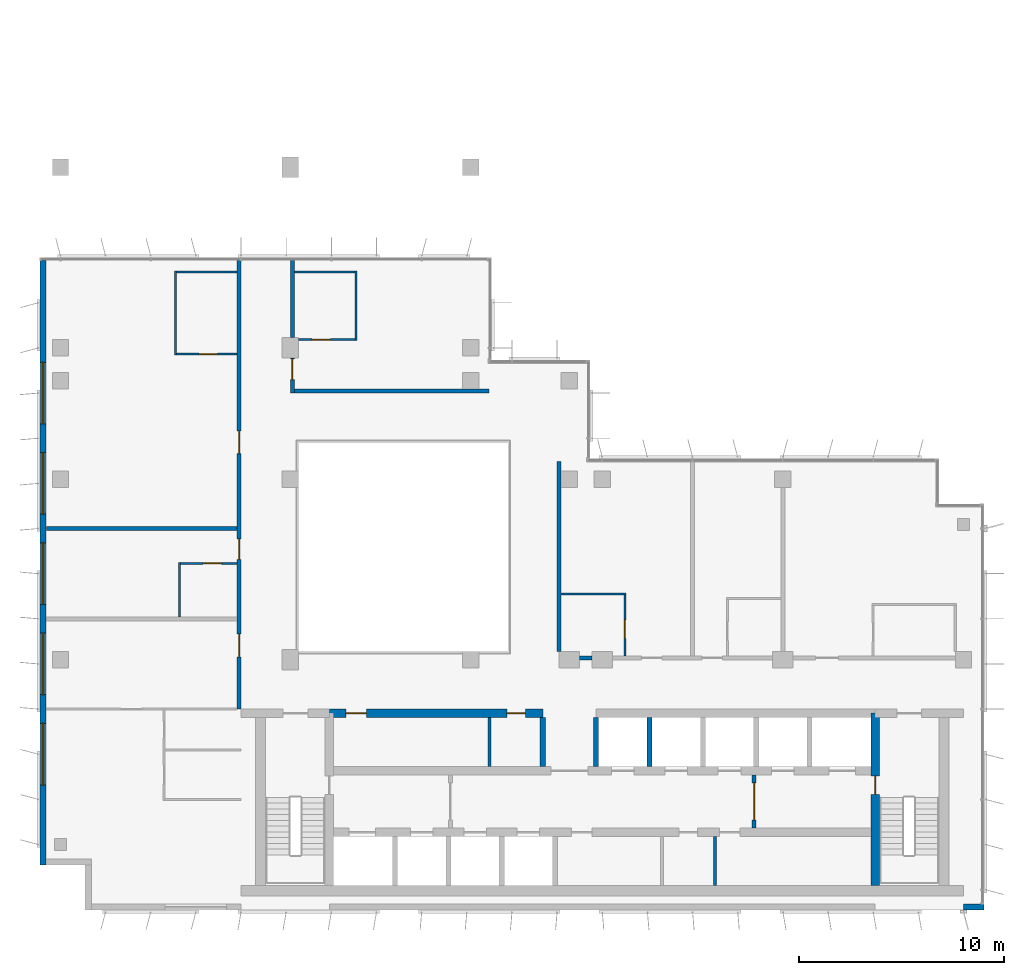
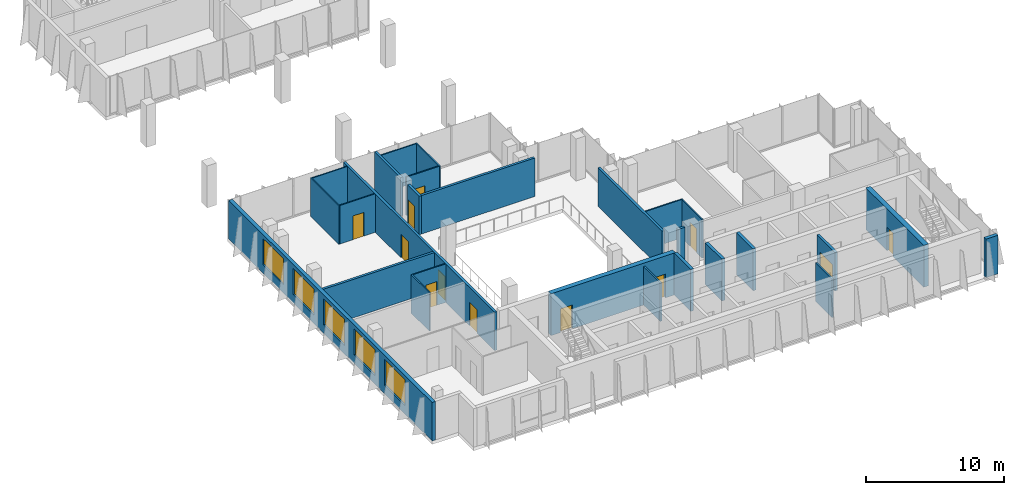
# One storey, part 10 of 14: 27 walls, 12 doors, 5 windows, 17 openings.
"""IFC4 building model written with IfcOpenShell, lengths in metres."""

from ifc_helpers import new_model, si_unit, direction, frame, frame_2d, origin, place, context, subcontext, project, spatial, rectangle, extrude, material, layer, layer_set, type_object, element, fill, save


model = new_model("IFC4")

# Units and contexts
model_context = context("Model", 3, precision=1e-05, world=origin(), true_north=direction((0.0, 1.0)))
body_context = subcontext(model_context, "Body", "Model", "MODEL_VIEW")
ifc_project = project(units=[si_unit("LENGTHUNIT", "METRE"), si_unit("AREAUNIT", "SQUARE_METRE"), si_unit("VOLUMEUNIT", "CUBIC_METRE"), si_unit("PLANEANGLEUNIT", "RADIAN"), si_unit("MASSUNIT", "GRAM", prefix="KILO")], contexts=[model_context])

# Site, building, storey
site_placement = place(None, origin())
site = spatial("IfcSite", under=ifc_project, at=site_placement, CompositionType="ELEMENT")
building_placement = place(site_placement, origin())
building = spatial("IfcBuilding", under=site, at=building_placement, Name="Kemantara Hotel Tower", CompositionType="ELEMENT")
storey_placement = place(building_placement, frame((0.0, 0.0, 245.0)))
storey = spatial("IfcBuildingStorey", under=building, at=storey_placement, Name="L61", CompositionType="ELEMENT", Elevation=245.0)

# Wall, openings, windows
ifc_material_1 = material(Name="Bronze anodised aluminium cladding on insulated steel stud wall", Category="steel")
ifc_layer_1 = layer(ifc_material_1, 0.300048828125)
ifc_layer_set_1 = layer_set([ifc_layer_1], Name="Bronze anodised aluminium cladding on insulated steel stud wall")
wall_type_1 = type_object("IfcWallType", Name="BRONZE METAL-CLAD EXTERNAL WALL 300", PredefinedType="STANDARD", material=ifc_layer_set_1)
wall_1_placement = place(storey_placement, frame((0.14990234375, 31.64990234375, 0.0), z_axis=(0.0, 0.0, 1.0), x_axis=(0.0, -1.0, 0.0)))
wall_1 = element("IfcWall", 1, at=wall_1_placement, inside=storey, type_object=wall_type_1, Name="EXTERNAL WALL L61 T4P-R02", PredefinedType="STANDARD", context=body_context, shape_type="SweptSolid", body=[
    extrude(rectangle(XDim=29.449951171875, YDim=0.300048828125, at=frame_2d((14.72509765625, 0.0))), origin(), (0.0, 0.0, 1.0), 3.39990234375),
])
opening_1_placement = place(wall_1_placement, frame((4.949951171875, 0.0, 0.75)))
opening_1 = element("IfcOpeningElement", 2, at=opening_1_placement, cuts=wall_1, Name="Opening W1", PredefinedType="OPENING", context=body_context, shape_type="SweptSolid", body=[
    extrude(rectangle(XDim=3.0, YDim=2.300048828125, at=frame_2d((1.5, 1.14990234375))), frame((0.0, 0.159912109375, 0.0), z_axis=(0.0, -1.0, 0.0), x_axis=(1.0, 0.0, 0.0)), (0.0, 0.0, 1.0), 0.320068359375),
])
opening_2_placement = place(wall_1_placement, frame((9.35009765625, 0.0, 0.75)))
opening_2 = element("IfcOpeningElement", 3, at=opening_2_placement, cuts=wall_1, Name="Opening W1", PredefinedType="OPENING", context=body_context, shape_type="SweptSolid", body=[
    extrude(rectangle(XDim=3.0, YDim=2.300048828125, at=frame_2d((1.5, 1.14990234375))), frame((0.0, 0.159912109375, 0.0), z_axis=(0.0, -1.0, 0.0), x_axis=(1.0, 0.0, 0.0)), (0.0, 0.0, 1.0), 0.320068359375),
])
opening_3_placement = place(wall_1_placement, frame((13.75, 0.0, 0.75)))
opening_3 = element("IfcOpeningElement", 4, at=opening_3_placement, cuts=wall_1, Name="Opening W1", PredefinedType="OPENING", context=body_context, shape_type="SweptSolid", body=[
    extrude(rectangle(XDim=3.0, YDim=2.300048828125, at=frame_2d((1.5, 1.14990234375))), frame((0.0, 0.159912109375, 0.0), z_axis=(0.0, -1.0, 0.0), x_axis=(1.0, 0.0, 0.0)), (0.0, 0.0, 1.0), 0.320068359375),
])
opening_4_placement = place(wall_1_placement, frame((18.14990234375, 0.0, 0.75)))
opening_4 = element("IfcOpeningElement", 5, at=opening_4_placement, cuts=wall_1, Name="Opening W1", PredefinedType="OPENING", context=body_context, shape_type="SweptSolid", body=[
    extrude(rectangle(XDim=3.0, YDim=2.300048828125, at=frame_2d((1.5, 1.14990234375))), frame((0.0, 0.159912109375, 0.0), z_axis=(0.0, -1.0, 0.0), x_axis=(1.0, 0.0, 0.0)), (0.0, 0.0, 1.0), 0.320068359375),
])
opening_5_placement = place(wall_1_placement, frame((22.550048828125, 0.0, 0.75)))
opening_5 = element("IfcOpeningElement", 6, at=opening_5_placement, cuts=wall_1, Name="Opening W1", PredefinedType="OPENING", context=body_context, shape_type="SweptSolid", body=[
    extrude(rectangle(XDim=3.0, YDim=2.300048828125, at=frame_2d((1.5, 1.14990234375))), frame((0.0, 0.159912109375, 0.0), z_axis=(0.0, -1.0, 0.0), x_axis=(1.0, 0.0, 0.0)), (0.0, 0.0, 1.0), 0.320068359375),
])
ifc_material_2 = material(Name="Low-E tinted double insulated glass in bronze anodised aluminium frame", Category="aluminium")
window_type = type_object("IfcWindowType", Name="CHICAGO WINDOW, TRIPLE PANEL 3000x2300", PartitioningType="TRIPLE_PANEL_VERTICAL", PredefinedType="WINDOW", material=ifc_material_2)
window_1_placement = place(opening_1_placement, origin())
window_1 = element("IfcWindow", 7, at=window_1_placement, inside=storey, type_object=window_type, Name="CHICAGO WINDOW L61 T4P-R02-66", OverallHeight=2.300048828125, OverallWidth=3.0, PartitioningType="SINGLE_PANEL", PredefinedType="WINDOW", context=body_context, shape_type="SweptSolid", body=[
    extrude(rectangle(XDim=3.0, YDim=2.300048828125, at=frame_2d((1.5, 1.14990234375))), frame((0.0, 0.030029296875, 0.0), z_axis=(0.0, -1.0, 0.0), x_axis=(1.0, 0.0, 0.0)), (0.0, 0.0, 1.0), 0.06005859375),
])
fill(opening_1, window_1)
window_2_placement = place(opening_2_placement, origin())
window_2 = element("IfcWindow", 8, at=window_2_placement, inside=storey, type_object=window_type, Name="CHICAGO WINDOW L61 T4P-R02-110", OverallHeight=2.300048828125, OverallWidth=3.0, PartitioningType="SINGLE_PANEL", PredefinedType="WINDOW", context=body_context, shape_type="SweptSolid", body=[
    extrude(rectangle(XDim=3.0, YDim=2.300048828125, at=frame_2d((1.5, 1.14990234375))), frame((0.0, 0.030029296875, 0.0), z_axis=(0.0, -1.0, 0.0), x_axis=(1.0, 0.0, 0.0)), (0.0, 0.0, 1.0), 0.06005859375),
])
fill(opening_2, window_2)
window_3_placement = place(opening_3_placement, origin())
window_3 = element("IfcWindow", 9, at=window_3_placement, inside=storey, type_object=window_type, Name="CHICAGO WINDOW L61 T4P-R02-154", OverallHeight=2.300048828125, OverallWidth=3.0, PartitioningType="SINGLE_PANEL", PredefinedType="WINDOW", context=body_context, shape_type="SweptSolid", body=[
    extrude(rectangle(XDim=3.0, YDim=2.300048828125, at=frame_2d((1.5, 1.14990234375))), frame((0.0, 0.030029296875, 0.0), z_axis=(0.0, -1.0, 0.0), x_axis=(1.0, 0.0, 0.0)), (0.0, 0.0, 1.0), 0.06005859375),
])
fill(opening_3, window_3)
window_4_placement = place(opening_4_placement, origin())
window_4 = element("IfcWindow", 10, at=window_4_placement, inside=storey, type_object=window_type, Name="CHICAGO WINDOW L61 T4P-R02-198", OverallHeight=2.300048828125, OverallWidth=3.0, PartitioningType="SINGLE_PANEL", PredefinedType="WINDOW", context=body_context, shape_type="SweptSolid", body=[
    extrude(rectangle(XDim=3.0, YDim=2.300048828125, at=frame_2d((1.5, 1.14990234375))), frame((0.0, 0.030029296875, 0.0), z_axis=(0.0, -1.0, 0.0), x_axis=(1.0, 0.0, 0.0)), (0.0, 0.0, 1.0), 0.06005859375),
])
fill(opening_4, window_4)
window_5_placement = place(opening_5_placement, origin())
window_5 = element("IfcWindow", 11, at=window_5_placement, inside=storey, type_object=window_type, Name="CHICAGO WINDOW L61 T4P-R02-242", OverallHeight=2.300048828125, OverallWidth=3.0, PartitioningType="SINGLE_PANEL", PredefinedType="WINDOW", context=body_context, shape_type="SweptSolid", body=[
    extrude(rectangle(XDim=3.0, YDim=2.300048828125, at=frame_2d((1.5, 1.14990234375))), frame((0.0, 0.030029296875, 0.0), z_axis=(0.0, -1.0, 0.0), x_axis=(1.0, 0.0, 0.0)), (0.0, 0.0, 1.0), 0.06005859375),
])
fill(opening_5, window_5)

# Walls
wall_2_placement = place(storey_placement, frame((45.0, 0.14990234375, 0.0), z_axis=(0.0, 0.0, 1.0), x_axis=(1.0, 0.0, 0.0)))
element("IfcWall", 12, at=wall_2_placement, inside=storey, type_object=wall_type_1, Name="EXTERNAL WALL L61 T4P-R05-3", PredefinedType="STANDARD", context=body_context, shape_type="SweptSolid", body=[
    extrude(rectangle(XDim=1.0, YDim=0.300048828125, at=frame_2d((0.5, 0.0))), origin(), (0.0, 0.0, 1.0), 3.39990234375),
])
ifc_material_3 = material(Name="Concrete fc 60 MPa", Category="concrete")
ifc_layer_2 = layer(ifc_material_3, 0.25)
ifc_layer_set_2 = layer_set([ifc_layer_2], Name="Concrete fc 60 MPa")
wall_type_2 = type_object("IfcWallType", Name="CORE WALL 250 FC60", PredefinedType="SHEAR", material=ifc_layer_set_2)
for number, where, z_axis, x_axis, name in (
    (13, (24.5, 7.0, 0.0), (0.0, 0.0, 1.0), (0.0, 1.0, 0.0), "CORE WALL CW-DN24.5"),
    (14, (27.10009765625, 7.0, 0.0), (0.0, 0.0, 1.0), (0.0, 1.0, 0.0), "CORE WALL CW-DN27.1"),
    (15, (29.699951171875, 7.0, 0.0), (0.0, 0.0, 1.0), (0.0, 1.0, 0.0), "CORE WALL CW-DN29.7"),
):
    element("IfcWall", number, at=place(storey_placement, frame(where, z_axis=z_axis, x_axis=x_axis)), inside=storey, type_object=wall_type_2, Name=name, PredefinedType="SHEAR", context=body_context, shape_type="SweptSolid", body=[
        extrude(rectangle(XDim=2.39990234375, YDim=0.25, at=frame_2d((1.199951171875, 0.0))), origin(), (0.0, 0.0, 1.0), 3.699951171875),
    ])

# Wall, openings, doors
ifc_layer_3 = layer(ifc_material_3, 0.39990234375)
ifc_layer_set_3 = layer_set([ifc_layer_3], Name="Concrete fc 60 MPa")
wall_type_3 = type_object("IfcWallType", Name="CORE WALL 400 FC60", PredefinedType="SHEAR", material=ifc_layer_set_3)
wall_3_placement = place(storey_placement, frame((14.10009765625, 9.60009765625, 0.0), z_axis=(0.0, 0.0, 1.0), x_axis=(1.0, 0.0, 0.0)))
wall_3 = element("IfcWall", 16, at=wall_3_placement, inside=storey, type_object=wall_type_3, Name="CORE WALL CW-NN1", PredefinedType="SHEAR", context=body_context, shape_type="SweptSolid", body=[
    extrude(rectangle(XDim=10.39990234375, YDim=0.39990234375, at=frame_2d((5.199951171875, 0.0))), origin(), (0.0, 0.0, 1.0), 3.699951171875),
])
opening_6_placement = place(wall_3_placement, frame((0.800048828125, 0.0, 0.0)))
opening_6 = element("IfcOpeningElement", 17, at=opening_6_placement, cuts=wall_3, Name="Opening C36-R-NW1", PredefinedType="OPENING", context=body_context, shape_type="SweptSolid", body=[
    extrude(rectangle(XDim=1.0, YDim=2.10009765625, at=frame_2d((0.5, 1.050048828125))), frame((0.0, 0.2099609375, 0.0), z_axis=(0.0, -1.0, 0.0), x_axis=(1.0, 0.0, 0.0)), (0.0, 0.0, 1.0), 0.419921875),
])
opening_7_placement = place(wall_3_placement, frame((8.64990234375, 0.0, 0.0)))
opening_7 = element("IfcOpeningElement", 18, at=opening_7_placement, cuts=wall_3, Name="Opening C36-R-NW2", PredefinedType="OPENING", context=body_context, shape_type="SweptSolid", body=[
    extrude(rectangle(XDim=0.89990234375, YDim=2.10009765625, at=frame_2d((0.449951171875, 1.050048828125))), frame((0.0, 0.2099609375, 0.0), z_axis=(0.0, -1.0, 0.0), x_axis=(1.0, 0.0, 0.0)), (0.0, 0.0, 1.0), 0.419921875),
])
ifc_material_4 = material(Name="Steel fire door", Category="steel")
door_type_1 = type_object("IfcDoorType", Name="Fire door FD30S 1000 x 2100", OperationType="NOTDEFINED", PredefinedType="DOOR", material=ifc_material_4)
door_1_placement = place(opening_6_placement, frame((1.0, 0.0, 0.0), z_axis=(0.0, 0.0, 1.0), x_axis=(-1.0, 0.0, 0.0)))
door_1 = element("IfcDoor", 19, at=door_1_placement, inside=storey, type_object=door_type_1, Name="Linen Store door", OperationType="SINGLE_SWING_RIGHT", OverallHeight=2.10009765625, OverallWidth=1.0, PredefinedType="DOOR", context=body_context, shape_type="SweptSolid", body=[
    extrude(rectangle(XDim=1.0, YDim=2.10009765625, at=frame_2d((0.5, 1.050048828125))), frame((0.0, 0.02490234375, 0.0), z_axis=(0.0, -1.0, 0.0), x_axis=(1.0, 0.0, 0.0)), (0.0, 0.0, 1.0), 0.050048828125),
])
fill(opening_6, door_1)
door_type_2 = type_object("IfcDoorType", Name="Fire door FD60 900 x 2100", OperationType="NOTDEFINED", PredefinedType="DOOR", material=ifc_material_4)
door_2_placement = place(opening_7_placement, frame((0.89990234375, 0.0, 0.0), z_axis=(0.0, 0.0, 1.0), x_axis=(-1.0, 0.0, 0.0)))
door_2 = element("IfcDoor", 20, at=door_2_placement, inside=storey, type_object=door_type_2, Name="It Equipment Room door", OperationType="SINGLE_SWING_LEFT", OverallHeight=2.10009765625, OverallWidth=0.89990234375, PredefinedType="DOOR", context=body_context, shape_type="SweptSolid", body=[
    extrude(rectangle(XDim=0.89990234375, YDim=2.10009765625, at=frame_2d((0.449951171875, 1.050048828125))), frame((0.0, 0.02490234375, 0.0), z_axis=(0.0, -1.0, 0.0), x_axis=(1.0, 0.0, 0.0)), (0.0, 0.0, 1.0), 0.050048828125),
])
fill(opening_7, door_2)

# Wall, opening, door
wall_4_placement = place(storey_placement, frame((40.699951171875, 1.199951171875, 0.0), z_axis=(0.0, 0.0, 1.0), x_axis=(0.0, 1.0, 0.0)))
wall_4 = element("IfcWall", 21, at=wall_4_placement, inside=storey, type_object=wall_type_3, Name="CORE WALL CW-ST2W", PredefinedType="SHEAR", context=body_context, shape_type="SweptSolid", body=[
    extrude(rectangle(XDim=8.400146484375, YDim=0.39990234375, at=frame_2d((4.2001953125, 0.0))), origin(), (0.0, 0.0, 1.0), 3.699951171875),
])
opening_8_placement = place(wall_4_placement, frame((4.449951171875, 0.0, 0.0)))
opening_8 = element("IfcOpeningElement", 22, at=opening_8_placement, cuts=wall_4, Name="Opening C36-ST2-F", PredefinedType="OPENING", context=body_context, shape_type="SweptSolid", body=[
    extrude(rectangle(XDim=0.89990234375, YDim=2.10009765625, at=frame_2d((0.449951171875, 1.050048828125))), frame((0.0, 0.2099609375, 0.0), z_axis=(0.0, -1.0, 0.0), x_axis=(1.0, 0.0, 0.0)), (0.0, 0.0, 1.0), 0.419921875),
])
door_type_3 = type_object("IfcDoorType", Name="Fire door FD90 900 x 2100", OperationType="NOTDEFINED", PredefinedType="DOOR", material=ifc_material_4)
door_3_placement = place(opening_8_placement, frame((0.89990234375, 0.0, 0.0), z_axis=(0.0, 0.0, 1.0), x_axis=(-1.0, 0.0, 0.0)))
door_3 = element("IfcDoor", 23, at=door_3_placement, inside=storey, type_object=door_type_3, Name="Stair ST2 door to firefighting lobby", OperationType="SINGLE_SWING_LEFT", OverallHeight=2.10009765625, OverallWidth=0.89990234375, PredefinedType="DOOR", context=body_context, shape_type="SweptSolid", body=[
    extrude(rectangle(XDim=0.89990234375, YDim=2.10009765625, at=frame_2d((0.449951171875, 1.050048828125))), frame((0.0, 0.02490234375, 0.0), z_axis=(0.0, -1.0, 0.0), x_axis=(1.0, 0.0, 0.0)), (0.0, 0.0, 1.0), 0.050048828125),
])
fill(opening_8, door_3)

# Wall
ifc_material_5 = material(Name="Gypsum board partition, steel studs and mineral wool, 200 mm", Category="steel")
ifc_layer_4 = layer(ifc_material_5, 0.199951171875)
ifc_layer_set_4 = layer_set([ifc_layer_4], Name="Gypsum board partition, steel studs and mineral wool, 200 mm")
wall_type_4 = type_object("IfcWallType", Name="CORRIDOR WALL 200", PredefinedType="PARTITIONING", material=ifc_layer_set_4)
wall_5_placement = place(storey_placement, frame((26.300048828125, 12.300048828125, 0.0), z_axis=(0.0, 0.0, 1.0), x_axis=(1.0, 0.0, 0.0)))
element("IfcWall", 24, at=wall_5_placement, inside=storey, type_object=wall_type_4, Name="CORRIDOR WALL 200 009", PredefinedType="PARTITIONING", context=body_context, shape_type="SweptSolid", body=[
    extrude(rectangle(XDim=0.599853515625, YDim=0.199951171875, at=frame_2d((0.2998046875, 0.0))), origin(), (0.0, 0.0, 1.0), 3.39990234375),
])

# Wall, openings, doors
wall_6_placement = place(storey_placement, frame((9.699951171875, 9.800048828125, 0.0), z_axis=(0.0, 0.0, 1.0), x_axis=(0.0, 1.0, 0.0)))
wall_6 = element("IfcWall", 25, at=wall_6_placement, inside=storey, type_object=wall_type_4, Name="CORRIDOR WALL 200 015", PredefinedType="PARTITIONING", context=body_context, shape_type="SweptSolid", body=[
    extrude(rectangle(XDim=21.8798828125, YDim=0.199951171875, at=frame_2d((10.93994140625, 0.0))), origin(), (0.0, 0.0, 1.0), 3.39990234375),
])
opening_9_placement = place(wall_6_placement, frame((2.550048828125, 0.0, 0.0)))
opening_9 = element("IfcOpeningElement", 26, at=opening_9_placement, cuts=wall_6, Name="Opening F30-007", PredefinedType="OPENING", context=body_context, shape_type="SweptSolid", body=[
    extrude(rectangle(XDim=1.10009765625, YDim=2.10009765625, at=frame_2d((0.550048828125, 1.050048828125))), frame((0.0, 0.10986328125, 0.0), z_axis=(0.0, -1.0, 0.0), x_axis=(1.0, 0.0, 0.0)), (0.0, 0.0, 1.0), 0.219970703125),
])
opening_10_placement = place(wall_6_placement, frame((7.300048828125, 0.0, 0.0)))
opening_10 = element("IfcOpeningElement", 27, at=opening_10_placement, cuts=wall_6, Name="Opening F30-011", PredefinedType="OPENING", context=body_context, shape_type="SweptSolid", body=[
    extrude(rectangle(XDim=1.0, YDim=2.10009765625, at=frame_2d((0.5, 1.050048828125))), frame((0.0, 0.10986328125, 0.0), z_axis=(0.0, -1.0, 0.0), x_axis=(1.0, 0.0, 0.0)), (0.0, 0.0, 1.0), 0.219970703125),
])
opening_11_placement = place(wall_6_placement, frame((12.449951171875, 0.0, 0.0)))
opening_11 = element("IfcOpeningElement", 28, at=opening_11_placement, cuts=wall_6, Name="Opening F30-013", PredefinedType="OPENING", context=body_context, shape_type="SweptSolid", body=[
    extrude(rectangle(XDim=1.10009765625, YDim=2.10009765625, at=frame_2d((0.550048828125, 1.050048828125))), frame((0.0, 0.10986328125, 0.0), z_axis=(0.0, -1.0, 0.0), x_axis=(1.0, 0.0, 0.0)), (0.0, 0.0, 1.0), 0.219970703125),
])
ifc_material_6 = material(Name="Hardwood veneer door leaf with steel frame", Category="steel")
door_type_4 = type_object("IfcDoorType", Name="GUEST ROOM DOOR 1000 X 2100 FD30S", OperationType="NOTDEFINED", PredefinedType="DOOR", material=ifc_material_6)
door_4_placement = place(opening_10_placement, origin())
door_4 = element("IfcDoor", 29, at=door_4_placement, inside=storey, type_object=door_type_4, Name="GUEST ROOM DOOR F30-011", OperationType="SINGLE_SWING_RIGHT", OverallHeight=2.10009765625, OverallWidth=1.0, PredefinedType="DOOR", context=body_context, shape_type="SweptSolid", body=[
    extrude(rectangle(XDim=1.0, YDim=2.10009765625, at=frame_2d((0.5, 1.050048828125))), frame((0.0, 0.02490234375, 0.0), z_axis=(0.0, -1.0, 0.0), x_axis=(1.0, 0.0, 0.0)), (0.0, 0.0, 1.0), 0.050048828125),
])
fill(opening_10, door_4)
door_type_5 = type_object("IfcDoorType", Name="SUITE ENTRANCE DOOR 1100 X 2100 FD30S", OperationType="NOTDEFINED", PredefinedType="DOOR", material=ifc_material_6)
door_5_placement = place(opening_9_placement, origin())
door_5 = element("IfcDoor", 30, at=door_5_placement, inside=storey, type_object=door_type_5, Name="SUITE ENTRANCE DOOR F30-007", OperationType="SINGLE_SWING_RIGHT", OverallHeight=2.10009765625, OverallWidth=1.10009765625, PredefinedType="DOOR", context=body_context, shape_type="SweptSolid", body=[
    extrude(rectangle(XDim=1.10009765625, YDim=2.10009765625, at=frame_2d((0.550048828125, 1.050048828125))), frame((0.0, 0.02490234375, 0.0), z_axis=(0.0, -1.0, 0.0), x_axis=(1.0, 0.0, 0.0)), (0.0, 0.0, 1.0), 0.050048828125),
])
fill(opening_9, door_5)
door_6_placement = place(opening_11_placement, origin())
door_6 = element("IfcDoor", 31, at=door_6_placement, inside=storey, type_object=door_type_5, Name="SUITE ENTRANCE DOOR F30-013", OperationType="SINGLE_SWING_LEFT", OverallHeight=2.10009765625, OverallWidth=1.10009765625, PredefinedType="DOOR", context=body_context, shape_type="SweptSolid", body=[
    extrude(rectangle(XDim=1.10009765625, YDim=2.10009765625, at=frame_2d((0.550048828125, 1.050048828125))), frame((0.0, 0.02490234375, 0.0), z_axis=(0.0, -1.0, 0.0), x_axis=(1.0, 0.0, 0.0)), (0.0, 0.0, 1.0), 0.050048828125),
])
fill(opening_11, door_6)

# Wall, opening, door
wall_7_placement = place(storey_placement, frame((12.300048828125, 26.89990234375, 0.0), z_axis=(0.0, 0.0, 1.0), x_axis=(0.0, -1.0, 0.0)))
wall_7 = element("IfcWall", 32, at=wall_7_placement, inside=storey, type_object=wall_type_4, Name="CORRIDOR WALL 200 018", PredefinedType="PARTITIONING", context=body_context, shape_type="SweptSolid", body=[
    extrude(rectangle(XDim=1.699951171875, YDim=0.199951171875, at=frame_2d((0.85009765625, 0.0))), origin(), (0.0, 0.0, 1.0), 3.39990234375),
])
opening_12_placement = place(wall_7_placement, frame((0.0498046875, 0.0, 0.0)))
opening_12 = element("IfcOpeningElement", 33, at=opening_12_placement, cuts=wall_7, Name="Opening F30-015", PredefinedType="OPENING", context=body_context, shape_type="SweptSolid", body=[
    extrude(rectangle(XDim=1.0, YDim=2.10009765625, at=frame_2d((0.5, 1.050048828125))), frame((0.0, 0.10986328125, 0.0), z_axis=(0.0, -1.0, 0.0), x_axis=(1.0, 0.0, 0.0)), (0.0, 0.0, 1.0), 0.219970703125),
])
door_7_placement = place(opening_12_placement, origin())
door_7 = element("IfcDoor", 34, at=door_7_placement, inside=storey, type_object=door_type_4, Name="GUEST ROOM DOOR F30-015", OperationType="SINGLE_SWING_RIGHT", OverallHeight=2.10009765625, OverallWidth=1.0, PredefinedType="DOOR", context=body_context, shape_type="SweptSolid", body=[
    extrude(rectangle(XDim=1.0, YDim=2.10009765625, at=frame_2d((0.5, 1.050048828125))), frame((0.0, 0.02490234375, 0.0), z_axis=(0.0, -1.0, 0.0), x_axis=(1.0, 0.0, 0.0)), (0.0, 0.0, 1.0), 0.050048828125),
])
fill(opening_12, door_7)

# Walls
wall_8_placement = place(storey_placement, frame((12.300048828125, 27.900146484375, 0.0), z_axis=(0.0, 0.0, 1.0), x_axis=(0.0, 1.0, 0.0)))
element("IfcWall", 35, at=wall_8_placement, inside=storey, type_object=wall_type_4, Name="CORRIDOR WALL 200 019", PredefinedType="PARTITIONING", context=body_context, shape_type="SweptSolid", body=[
    extrude(rectangle(XDim=3.77978515625, YDim=0.199951171875, at=frame_2d((1.889892578125, 0.0))), origin(), (0.0, 0.0, 1.0), 3.39990234375),
])
ifc_layer_5 = layer(ifc_material_5, 0.199951171875)
ifc_layer_set_5 = layer_set([ifc_layer_5], Name="Gypsum board partition, steel studs and mineral wool, 200 mm")
wall_type_5 = type_object("IfcWallType", Name="GUEST ROOM PARTY WALL 200", PredefinedType="PARTITIONING", material=ifc_layer_set_5)
wall_9_placement = place(storey_placement, frame((25.300048828125, 12.60009765625, 0.0), z_axis=(0.0, 0.0, 1.0), x_axis=(0.0, 1.0, 0.0)))
element("IfcWall", 36, at=wall_9_placement, inside=storey, type_object=wall_type_5, Name="GUEST ROOM PARTY WALL 200 012", PredefinedType="PARTITIONING", context=body_context, shape_type="SweptSolid", body=[
    extrude(rectangle(XDim=9.27001953125, YDim=0.199951171875, at=frame_2d((4.635009765625, 0.0))), origin(), (0.0, 0.0, 1.0), 3.39990234375),
])
wall_10_placement = place(storey_placement, frame((0.31005859375, 18.60009765625, 0.0), z_axis=(0.0, 0.0, 1.0), x_axis=(1.0, 0.0, 0.0)))
element("IfcWall", 37, at=wall_10_placement, inside=storey, type_object=wall_type_5, Name="GUEST ROOM PARTY WALL 200 017", PredefinedType="PARTITIONING", context=body_context, shape_type="SweptSolid", body=[
    extrude(rectangle(XDim=9.2900390625, YDim=0.199951171875, at=frame_2d((4.64501953125, 0.0))), origin(), (0.0, 0.0, 1.0), 3.39990234375),
])
wall_11_placement = place(storey_placement, frame((12.39990234375, 25.300048828125, 0.0), z_axis=(0.0, 0.0, 1.0), x_axis=(1.0, 0.0, 0.0)))
element("IfcWall", 38, at=wall_11_placement, inside=storey, type_object=wall_type_5, Name="GUEST ROOM PARTY WALL 200 020", PredefinedType="PARTITIONING", context=body_context, shape_type="SweptSolid", body=[
    extrude(rectangle(XDim=9.47021484375, YDim=0.199951171875, at=frame_2d((4.735107421875, 0.0))), origin(), (0.0, 0.0, 1.0), 3.39990234375),
])
ifc_material_7 = material(Name="Gypsum board partition")
ifc_layer_6 = layer(ifc_material_7, 0.14990234375)
ifc_layer_set_6 = layer_set([ifc_layer_6], Name="Gypsum board partition")
wall_type_6 = type_object("IfcWallType", Name="Gypsum board partition 150 mm", PredefinedType="PARTITIONING", material=ifc_layer_set_6)
wall_12_placement = place(storey_placement, frame((21.89990234375, 7.0, 0.0), z_axis=(0.0, 0.0, 1.0), x_axis=(0.0, 1.0, 0.0)))
element("IfcWall", 39, at=wall_12_placement, inside=storey, type_object=wall_type_6, Name="Core room partition", PredefinedType="PARTITIONING", context=body_context, shape_type="SweptSolid", body=[
    extrude(rectangle(XDim=2.39990234375, YDim=0.14990234375, at=frame_2d((1.199951171875, 0.0))), origin(), (0.0, 0.0, 1.0), 3.39990234375),
])
wall_13_placement = place(storey_placement, frame((32.89990234375, 1.199951171875, 0.0), z_axis=(0.0, 0.0, 1.0), x_axis=(0.0, 1.0, 0.0)))
element("IfcWall", 40, at=wall_13_placement, inside=storey, type_object=wall_type_6, Name="Core room partition", PredefinedType="PARTITIONING", context=body_context, shape_type="SweptSolid", body=[
    extrude(rectangle(XDim=2.400146484375, YDim=0.14990234375, at=frame_2d((1.2001953125, 0.0))), origin(), (0.0, 0.0, 1.0), 3.39990234375),
])

# Wall, opening, door
ifc_material_8 = material(Name="Gypsum board shaft wall")
ifc_layer_7 = layer(ifc_material_8, 0.199951171875)
ifc_layer_set_7 = layer_set([ifc_layer_7], Name="Gypsum board shaft wall")
wall_type_7 = type_object("IfcWallType", Name="Gypsum board shaft wall 200 mm", PredefinedType="PARTITIONING", material=ifc_layer_set_7)
wall_14_placement = place(storey_placement, frame((34.800048828125, 4.0, 0.0), z_axis=(0.0, 0.0, 1.0), x_axis=(0.0, 1.0, 0.0)))
wall_14 = element("IfcWall", 41, at=wall_14_placement, inside=storey, type_object=wall_type_7, Name="Firefighting lobby partition east", PredefinedType="PARTITIONING", context=body_context, shape_type="SweptSolid", body=[
    extrude(rectangle(XDim=2.60009765625, YDim=0.199951171875, at=frame_2d((1.300048828125, 0.0))), origin(), (0.0, 0.0, 1.0), 3.39990234375),
])
opening_13_placement = place(wall_14_placement, frame((0.39990234375, 0.0, 0.0)))
opening_13 = element("IfcOpeningElement", 42, at=opening_13_placement, cuts=wall_14, Name="Opening C36-FFE", PredefinedType="OPENING", context=body_context, shape_type="SweptSolid", body=[
    extrude(rectangle(XDim=1.800048828125, YDim=2.10009765625, at=frame_2d((0.89990234375, 1.050048828125))), frame((0.0, 0.10986328125, 0.0), z_axis=(0.0, -1.0, 0.0), x_axis=(1.0, 0.0, 0.0)), (0.0, 0.0, 1.0), 0.219970703125),
])
door_type_6 = type_object("IfcDoorType", Name="Fire door pair FD60 1800 x 2100", OperationType="DOUBLE_DOOR_SINGLE_SWING", PredefinedType="DOOR", material=ifc_material_4)
door_8_placement = place(opening_13_placement, frame((1.800048828125, 0.0, 0.0), z_axis=(0.0, 0.0, 1.0), x_axis=(-1.0, 0.0, 0.0)))
door_8 = element("IfcDoor", 43, at=door_8_placement, inside=storey, type_object=door_type_6, Name="Firefighting lobby door east", OperationType="DOUBLE_DOOR_SINGLE_SWING", OverallHeight=2.10009765625, OverallWidth=1.800048828125, PredefinedType="DOOR", context=body_context, shape_type="SweptSolid", body=[
    extrude(rectangle(XDim=1.800048828125, YDim=2.10009765625, at=frame_2d((0.89990234375, 1.050048828125))), frame((0.0, 0.02490234375, 0.0), z_axis=(0.0, -1.0, 0.0), x_axis=(1.0, 0.0, 0.0)), (0.0, 0.0, 1.0), 0.050048828125),
])
fill(opening_13, door_8)

# Wall
ifc_material_9 = material(Name="Gypsum board partition on steel studs, 100 mm", Category="steel")
ifc_layer_8 = layer(ifc_material_9, 0.10009765625)
ifc_layer_set_8 = layer_set([ifc_layer_8], Name="Gypsum board partition on steel studs, 100 mm")
wall_type_8 = type_object("IfcWallType", Name="ROOM PARTITION 100", PredefinedType="PARTITIONING", material=ifc_layer_set_8)
wall_15_placement = place(storey_placement, frame((25.39990234375, 15.39990234375, 0.0), z_axis=(0.0, 0.0, 1.0), x_axis=(1.0, 0.0, 0.0)))
element("IfcWall", 44, at=wall_15_placement, inside=storey, type_object=wall_type_8, Name="ROOM PARTITION 100 021", PredefinedType="PARTITIONING", context=body_context, shape_type="SweptSolid", body=[
    extrude(rectangle(XDim=3.150146484375, YDim=0.10009765625, at=frame_2d((1.5751953125, 0.0))), origin(), (0.0, 0.0, 1.0), 3.39990234375),
])

# Wall, opening, door
wall_16_placement = place(storey_placement, frame((28.5, 12.39990234375, 0.0), z_axis=(0.0, 0.0, 1.0), x_axis=(0.0, 1.0, 0.0)))
wall_16 = element("IfcWall", 45, at=wall_16_placement, inside=storey, type_object=wall_type_8, Name="ROOM PARTITION 100 022", PredefinedType="PARTITIONING", context=body_context, shape_type="SweptSolid", body=[
    extrude(rectangle(XDim=2.9501953125, YDim=0.10009765625, at=frame_2d((1.47509765625, 0.0))), origin(), (0.0, 0.0, 1.0), 3.39990234375),
])
opening_14_placement = place(wall_16_placement, frame((0.85009765625, 0.0, 0.0)))
opening_14 = element("IfcOpeningElement", 46, at=opening_14_placement, cuts=wall_16, Name="Opening F30-002", PredefinedType="OPENING", context=body_context, shape_type="SweptSolid", body=[
    extrude(rectangle(XDim=0.89990234375, YDim=2.10009765625, at=frame_2d((0.449951171875, 1.050048828125))), frame((0.0, 0.06005859375, 0.0), z_axis=(0.0, -1.0, 0.0), x_axis=(1.0, 0.0, 0.0)), (0.0, 0.0, 1.0), 0.1201171875),
])
door_type_7 = type_object("IfcDoorType", Name="BATHROOM DOOR 900 X 2100", OperationType="NOTDEFINED", PredefinedType="DOOR", material=ifc_material_6)
door_9_placement = place(opening_14_placement, origin())
door_9 = element("IfcDoor", 47, at=door_9_placement, inside=storey, type_object=door_type_7, Name="BATHROOM DOOR F30-002", OperationType="SINGLE_SWING_LEFT", OverallHeight=2.10009765625, OverallWidth=0.89990234375, PredefinedType="DOOR", context=body_context, shape_type="SweptSolid", body=[
    extrude(rectangle(XDim=0.89990234375, YDim=2.10009765625, at=frame_2d((0.449951171875, 1.050048828125))), frame((0.0, 0.02490234375, 0.0), z_axis=(0.0, -1.0, 0.0), x_axis=(1.0, 0.0, 0.0)), (0.0, 0.0, 1.0), 0.050048828125),
])
fill(opening_14, door_9)

# Wall
wall_17_placement = place(storey_placement, frame((6.800048828125, 14.300048828125, 0.0), z_axis=(0.0, 0.0, 1.0), x_axis=(0.0, 1.0, 0.0)))
element("IfcWall", 48, at=wall_17_placement, inside=storey, type_object=wall_type_8, Name="ROOM PARTITION 100 032", PredefinedType="PARTITIONING", context=body_context, shape_type="SweptSolid", body=[
    extrude(rectangle(XDim=2.64990234375, YDim=0.10009765625, at=frame_2d((1.324951171875, 0.0))), origin(), (0.0, 0.0, 1.0), 3.39990234375),
])

# Wall, opening, door
wall_18_placement = place(storey_placement, frame((9.60009765625, 16.89990234375, 0.0), z_axis=(0.0, 0.0, 1.0), x_axis=(-1.0, 0.0, 0.0)))
wall_18 = element("IfcWall", 49, at=wall_18_placement, inside=storey, type_object=wall_type_8, Name="ROOM PARTITION 100 033", PredefinedType="PARTITIONING", context=body_context, shape_type="SweptSolid", body=[
    extrude(rectangle(XDim=2.75, YDim=0.10009765625, at=frame_2d((1.375, 0.0))), origin(), (0.0, 0.0, 1.0), 3.39990234375),
])
opening_15_placement = place(wall_18_placement, frame((0.75, 0.0, 0.0)))
opening_15 = element("IfcOpeningElement", 50, at=opening_15_placement, cuts=wall_18, Name="Opening F30-012", PredefinedType="OPENING", context=body_context, shape_type="SweptSolid", body=[
    extrude(rectangle(XDim=0.89990234375, YDim=2.10009765625, at=frame_2d((0.449951171875, 1.050048828125))), frame((0.0, 0.06005859375, 0.0), z_axis=(0.0, -1.0, 0.0), x_axis=(1.0, 0.0, 0.0)), (0.0, 0.0, 1.0), 0.1201171875),
])
door_10_placement = place(opening_15_placement, origin())
door_10 = element("IfcDoor", 51, at=door_10_placement, inside=storey, type_object=door_type_7, Name="BATHROOM DOOR F30-012", OperationType="SINGLE_SWING_LEFT", OverallHeight=2.10009765625, OverallWidth=0.89990234375, PredefinedType="DOOR", context=body_context, shape_type="SweptSolid", body=[
    extrude(rectangle(XDim=0.89990234375, YDim=2.10009765625, at=frame_2d((0.449951171875, 1.050048828125))), frame((0.0, 0.02490234375, 0.0), z_axis=(0.0, -1.0, 0.0), x_axis=(1.0, 0.0, 0.0)), (0.0, 0.0, 1.0), 0.050048828125),
])
fill(opening_15, door_10)

# Wall
wall_19_placement = place(storey_placement, frame((6.60009765625, 27.050048828125, 0.0), z_axis=(0.0, 0.0, 1.0), x_axis=(0.0, 1.0, 0.0)))
element("IfcWall", 52, at=wall_19_placement, inside=storey, type_object=wall_type_8, Name="ROOM PARTITION 100 034", PredefinedType="PARTITIONING", context=body_context, shape_type="SweptSolid", body=[
    extrude(rectangle(XDim=4.099853515625, YDim=0.10009765625, at=frame_2d((2.0498046875, 0.0))), origin(), (0.0, 0.0, 1.0), 3.39990234375),
])

# Wall, opening, door
wall_20_placement = place(storey_placement, frame((6.64990234375, 27.10009765625, 0.0), z_axis=(0.0, 0.0, 1.0), x_axis=(1.0, 0.0, 0.0)))
wall_20 = element("IfcWall", 53, at=wall_20_placement, inside=storey, type_object=wall_type_8, Name="ROOM PARTITION 100 035", PredefinedType="PARTITIONING", context=body_context, shape_type="SweptSolid", body=[
    extrude(rectangle(XDim=2.9501953125, YDim=0.10009765625, at=frame_2d((1.47509765625, 0.0))), origin(), (0.0, 0.0, 1.0), 3.39990234375),
])
opening_16_placement = place(wall_20_placement, frame((1.10009765625, 0.0, 0.0)))
opening_16 = element("IfcOpeningElement", 54, at=opening_16_placement, cuts=wall_20, Name="Opening F30-014", PredefinedType="OPENING", context=body_context, shape_type="SweptSolid", body=[
    extrude(rectangle(XDim=0.89990234375, YDim=2.10009765625, at=frame_2d((0.449951171875, 1.050048828125))), frame((0.0, 0.06005859375, 0.0), z_axis=(0.0, -1.0, 0.0), x_axis=(1.0, 0.0, 0.0)), (0.0, 0.0, 1.0), 0.1201171875),
])
door_11_placement = place(opening_16_placement, origin())
door_11 = element("IfcDoor", 55, at=door_11_placement, inside=storey, type_object=door_type_7, Name="BATHROOM DOOR F30-014", OperationType="SINGLE_SWING_RIGHT", OverallHeight=2.10009765625, OverallWidth=0.89990234375, PredefinedType="DOOR", context=body_context, shape_type="SweptSolid", body=[
    extrude(rectangle(XDim=0.89990234375, YDim=2.10009765625, at=frame_2d((0.449951171875, 1.050048828125))), frame((0.0, 0.02490234375, 0.0), z_axis=(0.0, -1.0, 0.0), x_axis=(1.0, 0.0, 0.0)), (0.0, 0.0, 1.0), 0.050048828125),
])
fill(opening_16, door_11)

# Walls
for number, where, z_axis, x_axis, name in (
    (56, (6.64990234375, 31.10009765625, 0.0), (0.0, 0.0, 1.0), (1.0, 0.0, 0.0), "ROOM PARTITION 100 036"),
    (57, (12.39990234375, 31.10009765625, 0.0), (0.0, 0.0, 1.0), (1.0, 0.0, 0.0), "ROOM PARTITION 100 037"),
):
    element("IfcWall", number, at=place(storey_placement, frame(where, z_axis=z_axis, x_axis=x_axis)), inside=storey, type_object=wall_type_8, Name=name, PredefinedType="PARTITIONING", context=body_context, shape_type="SweptSolid", body=[
        extrude(rectangle(XDim=2.9501953125, YDim=0.10009765625, at=frame_2d((1.47509765625, 0.0))), origin(), (0.0, 0.0, 1.0), 3.39990234375),
    ])
wall_21_placement = place(storey_placement, frame((15.39990234375, 27.75, 0.0), z_axis=(0.0, 0.0, 1.0), x_axis=(0.0, 1.0, 0.0)))
element("IfcWall", 58, at=wall_21_placement, inside=storey, type_object=wall_type_8, Name="ROOM PARTITION 100 038", PredefinedType="PARTITIONING", context=body_context, shape_type="SweptSolid", body=[
    extrude(rectangle(XDim=3.39990234375, YDim=0.10009765625, at=frame_2d((1.699951171875, 0.0))), origin(), (0.0, 0.0, 1.0), 3.39990234375),
])

# Wall, opening, door
wall_22_placement = place(storey_placement, frame((12.60009765625, 27.800048828125, 0.0), z_axis=(0.0, 0.0, 1.0), x_axis=(1.0, 0.0, 0.0)))
wall_22 = element("IfcWall", 59, at=wall_22_placement, inside=storey, type_object=wall_type_8, Name="ROOM PARTITION 100 039", PredefinedType="PARTITIONING", context=body_context, shape_type="SweptSolid", body=[
    extrude(rectangle(XDim=2.75, YDim=0.10009765625, at=frame_2d((1.375, 0.0))), origin(), (0.0, 0.0, 1.0), 3.39990234375),
])
opening_17_placement = place(wall_22_placement, frame((0.64990234375, 0.0, 0.0)))
opening_17 = element("IfcOpeningElement", 60, at=opening_17_placement, cuts=wall_22, Name="Opening F30-016", PredefinedType="OPENING", context=body_context, shape_type="SweptSolid", body=[
    extrude(rectangle(XDim=0.89990234375, YDim=2.10009765625, at=frame_2d((0.449951171875, 1.050048828125))), frame((0.0, 0.06005859375, 0.0), z_axis=(0.0, -1.0, 0.0), x_axis=(1.0, 0.0, 0.0)), (0.0, 0.0, 1.0), 0.1201171875),
])
door_12_placement = place(opening_17_placement, origin())
door_12 = element("IfcDoor", 61, at=door_12_placement, inside=storey, type_object=door_type_7, Name="BATHROOM DOOR F30-016", OperationType="SINGLE_SWING_LEFT", OverallHeight=2.10009765625, OverallWidth=0.89990234375, PredefinedType="DOOR", context=body_context, shape_type="SweptSolid", body=[
    extrude(rectangle(XDim=0.89990234375, YDim=2.10009765625, at=frame_2d((0.449951171875, 1.050048828125))), frame((0.0, 0.02490234375, 0.0), z_axis=(0.0, -1.0, 0.0), x_axis=(1.0, 0.0, 0.0)), (0.0, 0.0, 1.0), 0.050048828125),
])
fill(opening_17, door_12)

save(model, "model.ifc")
